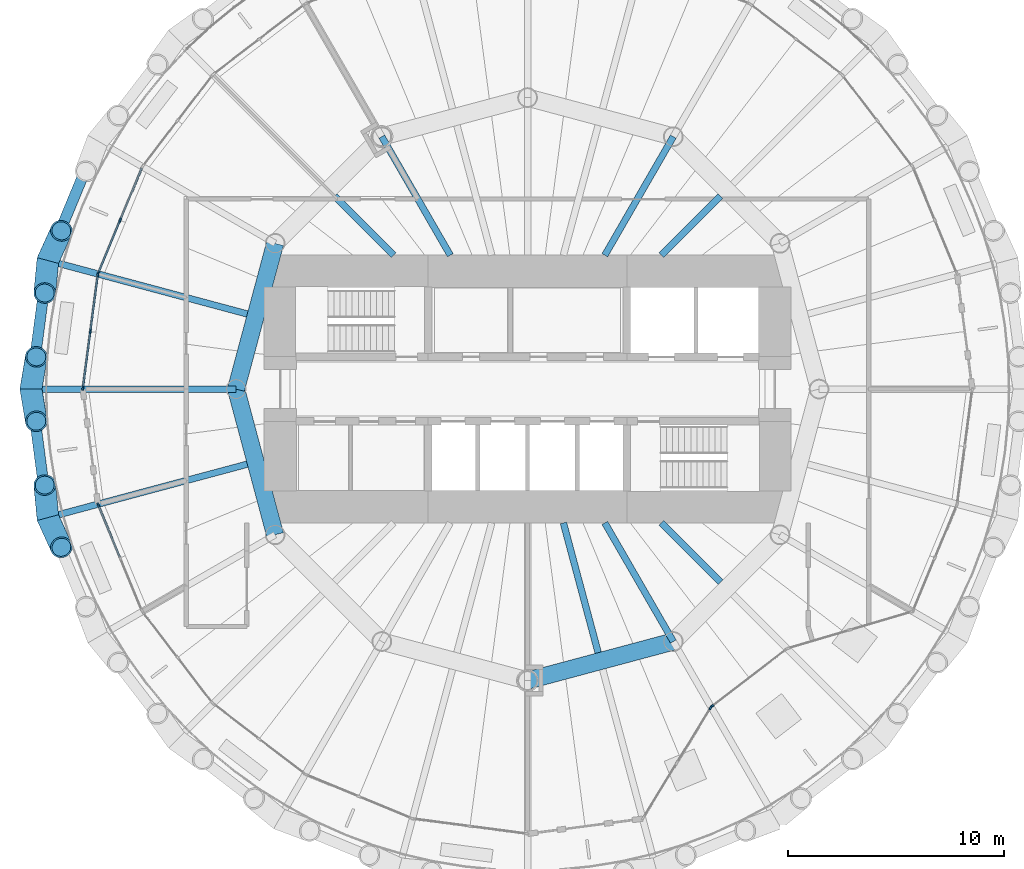
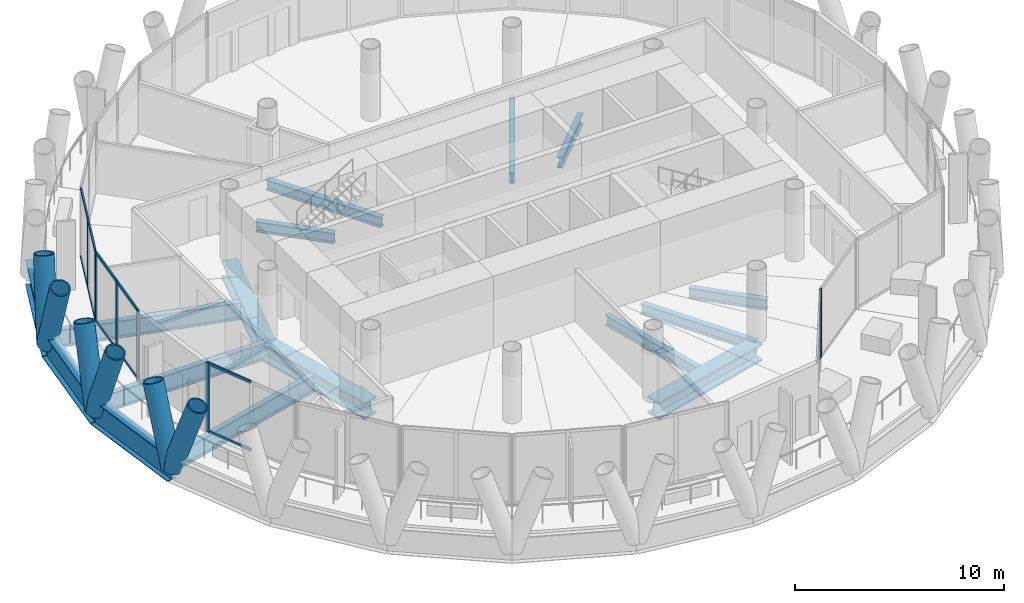
# One storey, part 3 of 14: 24 members, 16 beams, 5 elements without a shape of their own.
"""IFC4 building model written with IfcOpenShell, lengths in metres."""

from ifc_helpers import new_model, si_unit, direction, frame, origin, origin_2d, place, context, subcontext, project, spatial, rectangle, hollow_circle, i_section, extrude, material, material_profile, profile_set, type_object, element, aggregate, save


model = new_model("IFC4")

# Units and contexts
model_context = context("Model", 3, precision=1e-05, world=origin(), true_north=direction((0.0, 1.0)))
body_context = subcontext(model_context, "Body", "Model", "MODEL_VIEW")
ifc_project = project(units=[si_unit("LENGTHUNIT", "METRE"), si_unit("AREAUNIT", "SQUARE_METRE"), si_unit("VOLUMEUNIT", "CUBIC_METRE"), si_unit("PLANEANGLEUNIT", "RADIAN"), si_unit("MASSUNIT", "GRAM", prefix="KILO")], contexts=[model_context])

# Site, building, storey
site_placement = place(None, origin())
site = spatial("IfcSite", under=ifc_project, at=site_placement, CompositionType="ELEMENT")
building_placement = place(site_placement, origin())
building = spatial("IfcBuilding", under=site, at=building_placement, Name="Qaws Media Tower", CompositionType="ELEMENT")
storey_placement = place(building_placement, frame((0.0, 0.0, 210.800048828125)))
storey = spatial("IfcBuildingStorey", under=building, at=storey_placement, Name="L48", CompositionType="ELEMENT", Elevation=210.800048828125)

# Curtain wall, members
ifc_material_1 = material(Name="Aluminium and clear glass", Category="aluminium")
curtain_wall_type_1 = type_object("IfcCurtainWallType", Name="Unitised curtain wall CW-C", PredefinedType="NOTDEFINED", material=ifc_material_1)
curtain_wall_1_placement = place(storey_placement, origin())
curtain_wall_1 = element("IfcCurtainWall", 1, at=curtain_wall_1_placement, inside=storey, type_object=curtain_wall_type_1, Name="CWC curtain wall L48-11", PredefinedType="NOTDEFINED")
ifc_material_2 = material(Name="Aluminium mullion", Category="aluminium")
ifc_material_profile_1 = material_profile(ifc_material_2, rectangle(XDim=0.080078125, YDim=0.199951171875, at=origin_2d()), Name="80x200")
ifc_profile_set_1 = profile_set([ifc_material_profile_1], Name="Aluminium mullion")
member_type_1 = type_object("IfcMemberType", Name="Curtain wall mullion 80x200", PredefinedType="MULLION", material=ifc_profile_set_1)
member_1_placement = place(storey_placement, frame((41.130859375, 57.81591796875, 0.0), z_axis=(0.0, 0.0, 1.0), x_axis=(0.923879521985, -0.382683457778, 0.0)))
member_1 = element("IfcMember", 2, at=member_1_placement, type_object=member_type_1, Name="CWC mullion 2", PredefinedType="MULLION", context=body_context, shape_type="SweptSolid", body=[
    extrude(rectangle(XDim=0.080078125, YDim=0.199951171875, at=origin_2d()), origin(), (0.0, 0.0, 1.0), 4.0400390625),
])
member_2_placement = place(storey_placement, frame((40.1171875, 55.36865234375, 0.0), z_axis=(0.0, 0.0, 1.0), x_axis=(0.923879521985, -0.382683457778, 0.0)))
member_2 = element("IfcMember", 3, at=member_2_placement, type_object=member_type_1, Name="CWC mullion 3", PredefinedType="MULLION", context=body_context, shape_type="SweptSolid", body=[
    extrude(rectangle(XDim=0.080078125, YDim=0.199951171875, at=origin_2d()), origin(), (0.0, 0.0, 1.0), 4.0400390625),
])

curtain_wall_2_placement = place(storey_placement, origin())
curtain_wall_2 = element("IfcCurtainWall", 4, at=curtain_wall_2_placement, inside=storey, type_object=curtain_wall_type_1, Name="CWC curtain wall L48-12", PredefinedType="NOTDEFINED")
member_3_placement = place(storey_placement, frame((40.0966796875, 55.2919921875, 0.0), z_axis=(0.0, 0.0, 1.0), x_axis=(0.991444859813, -0.130526204073, 0.0)))
member_3 = element("IfcMember", 5, at=member_3_placement, type_object=member_type_1, Name="CWC mullion 1", PredefinedType="MULLION", context=body_context, shape_type="SweptSolid", body=[
    extrude(rectangle(XDim=0.080078125, YDim=0.199951171875, at=origin_2d()), origin(), (0.0, 0.0, 1.0), 4.0400390625),
])
member_4_placement = place(storey_placement, frame((39.7509765625, 52.665771484375, 0.0), z_axis=(0.0, 0.0, 1.0), x_axis=(0.991444859813, -0.130526204073, 0.0)))
member_4 = element("IfcMember", 6, at=member_4_placement, type_object=member_type_1, Name="CWC mullion 2", PredefinedType="MULLION", context=body_context, shape_type="SweptSolid", body=[
    extrude(rectangle(XDim=0.080078125, YDim=0.199951171875, at=origin_2d()), origin(), (0.0, 0.0, 1.0), 4.0400390625),
])
member_5_placement = place(storey_placement, frame((39.4052734375, 50.03955078125, 0.0), z_axis=(0.0, 0.0, 1.0), x_axis=(0.991444859813, -0.130526204073, 0.0)))
member_5 = element("IfcMember", 7, at=member_5_placement, type_object=member_type_1, Name="CWC mullion 3", PredefinedType="MULLION", context=body_context, shape_type="SweptSolid", body=[
    extrude(rectangle(XDim=0.080078125, YDim=0.199951171875, at=origin_2d()), origin(), (0.0, 0.0, 1.0), 4.0400390625),
])

# Curtain wall, member
curtain_wall_3_placement = place(storey_placement, origin())
curtain_wall_3 = element("IfcCurtainWall", 8, at=curtain_wall_3_placement, inside=storey, type_object=curtain_wall_type_1, Name="CWC curtain wall L48-14", PredefinedType="NOTDEFINED")
member_6_placement = place(storey_placement, frame((40.1171875, 44.63134765625, 0.0), z_axis=(0.0, 0.0, 1.0), x_axis=(0.923879521985, 0.382683457778, 0.0)))
member_6 = element("IfcMember", 9, at=member_6_placement, type_object=member_type_1, Name="CWC mullion 1", PredefinedType="MULLION", context=body_context, shape_type="SweptSolid", body=[
    extrude(rectangle(XDim=0.080078125, YDim=0.199951171875, at=origin_2d()), origin(), (0.0, 0.0, 1.0), 4.0400390625),
])

ifc_material_3 = material(Name="Aluminium and clear glass", Category="aluminium")
curtain_wall_type_2 = type_object("IfcCurtainWallType", Name="Loggia curtain wall CW-G", PredefinedType="NOTDEFINED", material=ifc_material_3)
curtain_wall_4_placement = place(storey_placement, origin())
curtain_wall_4 = element("IfcCurtainWall", 10, at=curtain_wall_4_placement, inside=storey, type_object=curtain_wall_type_2, Name="CWG curtain wall L48-20", PredefinedType="NOTDEFINED")
member_7_placement = place(storey_placement, frame((68.47900390625, 35.243408203125, 0.0), z_axis=(0.0, 0.0, 1.0), x_axis=(-0.85288294419, 0.52210217727, 0.0)))
member_7 = element("IfcMember", 11, at=member_7_placement, type_object=member_type_1, Name="CWG mullion 3", PredefinedType="MULLION", context=body_context, shape_type="SweptSolid", body=[
    extrude(rectangle(XDim=0.080078125, YDim=0.199951171875, at=origin_2d()), origin(), (0.0, 0.0, 1.0), 4.0400390625),
])
aggregate(curtain_wall_4, [member_7])

curtain_wall_5_placement = place(storey_placement, origin())
curtain_wall_5 = element("IfcCurtainWall", 12, at=curtain_wall_5_placement, inside=storey, type_object=curtain_wall_type_2, Name="CWG curtain wall L48-21", PredefinedType="NOTDEFINED")
member_8_placement = place(storey_placement, frame((68.53173828125, 35.302001953125, 0.0), z_axis=(0.0, 0.0, 1.0), x_axis=(-0.608761518472, 0.793353271644, 0.0)))
member_8 = element("IfcMember", 13, at=member_8_placement, type_object=member_type_1, Name="CWG mullion 1", PredefinedType="MULLION", context=body_context, shape_type="SweptSolid", body=[
    extrude(rectangle(XDim=0.080078125, YDim=0.199951171875, at=origin_2d()), origin(), (0.0, 0.0, 1.0), 4.0400390625),
])
aggregate(curtain_wall_5, [member_8])

# Member
ifc_material_4 = material(Name="Aluminium transom", Category="aluminium")
ifc_material_profile_2 = material_profile(ifc_material_4, rectangle(XDim=0.080078125, YDim=0.159912109375, at=origin_2d()), Name="80x160")
ifc_profile_set_2 = profile_set([ifc_material_profile_2], Name="Aluminium transom")
member_type_2 = type_object("IfcMemberType", Name="Curtain wall transom 80x160", PredefinedType="USERDEFINED", material=ifc_profile_set_2)
member_9_placement = place(storey_placement, frame((42.129150390625, 60.22607421875, 0.0400390625), z_axis=(-0.382637188535, -0.923898685977, 0.0), x_axis=(0.923898685977, -0.382637188535, 0.0)))
member_9 = element("IfcMember", 14, at=member_9_placement, type_object=member_type_2, Name="CWC transom 1.1", ObjectType="TRANSOM", PredefinedType="USERDEFINED", context=body_context, shape_type="SweptSolid", body=[
    extrude(rectangle(XDim=0.080078125, YDim=0.159912109375, at=origin_2d()), origin(), (0.0, 0.0, 1.0), 2.56884765625),
])

member_10_placement = place(storey_placement, frame((42.129150390625, 60.22607421875, 4.0), z_axis=(-0.382637188535, -0.923898685977, 0.0), x_axis=(0.923898685977, -0.382637188535, 0.0)))
member_10 = element("IfcMember", 15, at=member_10_placement, type_object=member_type_2, Name="CWC transom 1.2", ObjectType="TRANSOM", PredefinedType="USERDEFINED", context=body_context, shape_type="SweptSolid", body=[
    extrude(rectangle(XDim=0.080078125, YDim=0.159912109375, at=origin_2d()), origin(), (0.0, 0.0, 1.0), 2.56884765625),
])

member_11_placement = place(storey_placement, frame((41.115478515625, 57.77880859375, 0.0400390625), z_axis=(-0.382637188535, -0.923898685977, 0.0), x_axis=(0.923898685977, -0.382637188535, 0.0)))
member_11 = element("IfcMember", 16, at=member_11_placement, type_object=member_type_2, Name="CWC transom 2.1", ObjectType="TRANSOM", PredefinedType="USERDEFINED", context=body_context, shape_type="SweptSolid", body=[
    extrude(rectangle(XDim=0.080078125, YDim=0.159912109375, at=origin_2d()), origin(), (0.0, 0.0, 1.0), 2.56884765625),
])

member_12_placement = place(storey_placement, frame((41.115478515625, 57.77880859375, 4.0), z_axis=(-0.382637188535, -0.923898685977, 0.0), x_axis=(0.923898685977, -0.382637188535, 0.0)))
member_12 = element("IfcMember", 17, at=member_12_placement, type_object=member_type_2, Name="CWC transom 2.2", ObjectType="TRANSOM", PredefinedType="USERDEFINED", context=body_context, shape_type="SweptSolid", body=[
    extrude(rectangle(XDim=0.080078125, YDim=0.159912109375, at=origin_2d()), origin(), (0.0, 0.0, 1.0), 2.56884765625),
])

aggregate(curtain_wall_1, [member_1, member_2, member_9, member_10, member_11, member_12])

member_13_placement = place(storey_placement, frame((40.091552734375, 55.25244140625, 0.0400390625), z_axis=(-0.130582350348, -0.991437466398, 0.0), x_axis=(0.991437466398, -0.130582350348, 0.0)))
member_13 = element("IfcMember", 18, at=member_13_placement, type_object=member_type_2, Name="CWC transom 1.1", ObjectType="TRANSOM", PredefinedType="USERDEFINED", context=body_context, shape_type="SweptSolid", body=[
    extrude(rectangle(XDim=0.080078125, YDim=0.159912109375, at=origin_2d()), origin(), (0.0, 0.0, 1.0), 2.56884765625),
])

member_14_placement = place(storey_placement, frame((40.091552734375, 55.25244140625, 4.0), z_axis=(-0.130582350348, -0.991437466398, 0.0), x_axis=(0.991437466398, -0.130582350348, 0.0)))
member_14 = element("IfcMember", 19, at=member_14_placement, type_object=member_type_2, Name="CWC transom 1.2", ObjectType="TRANSOM", PredefinedType="USERDEFINED", context=body_context, shape_type="SweptSolid", body=[
    extrude(rectangle(XDim=0.080078125, YDim=0.159912109375, at=origin_2d()), origin(), (0.0, 0.0, 1.0), 2.56884765625),
])

member_15_placement = place(storey_placement, frame((39.745849609375, 52.626220703125, 0.0400390625), z_axis=(-0.130582350348, -0.991437466398, 0.0), x_axis=(0.991437466398, -0.130582350348, 0.0)))
member_15 = element("IfcMember", 20, at=member_15_placement, type_object=member_type_2, Name="CWC transom 2.1", ObjectType="TRANSOM", PredefinedType="USERDEFINED", context=body_context, shape_type="SweptSolid", body=[
    extrude(rectangle(XDim=0.080078125, YDim=0.159912109375, at=origin_2d()), origin(), (0.0, 0.0, 1.0), 2.56884765625),
])

member_16_placement = place(storey_placement, frame((39.745849609375, 52.626220703125, 4.0), z_axis=(-0.130582350348, -0.991437466398, 0.0), x_axis=(0.991437466398, -0.130582350348, 0.0)))
member_16 = element("IfcMember", 21, at=member_16_placement, type_object=member_type_2, Name="CWC transom 2.2", ObjectType="TRANSOM", PredefinedType="USERDEFINED", context=body_context, shape_type="SweptSolid", body=[
    extrude(rectangle(XDim=0.080078125, YDim=0.159912109375, at=origin_2d()), origin(), (0.0, 0.0, 1.0), 2.56884765625),
])

aggregate(curtain_wall_2, [member_3, member_4, member_5, member_13, member_14, member_15, member_16])

member_17_placement = place(storey_placement, frame((40.132568359375, 44.594482421875, 0.0400390625), z_axis=(0.382637188535, -0.923898685977, 0.0), x_axis=(0.923898685977, 0.382637188535, 0.0)))
member_17 = element("IfcMember", 22, at=member_17_placement, type_object=member_type_2, Name="CWC transom 1.1", ObjectType="TRANSOM", PredefinedType="USERDEFINED", context=body_context, shape_type="SweptSolid", body=[
    extrude(rectangle(XDim=0.080078125, YDim=0.159912109375, at=origin_2d()), origin(), (0.0, 0.0, 1.0), 2.56884765625),
])

member_18_placement = place(storey_placement, frame((40.132568359375, 44.594482421875, 4.0), z_axis=(0.382637188535, -0.923898685977, 0.0), x_axis=(0.923898685977, 0.382637188535, 0.0)))
member_18 = element("IfcMember", 23, at=member_18_placement, type_object=member_type_2, Name="CWC transom 1.2", ObjectType="TRANSOM", PredefinedType="USERDEFINED", context=body_context, shape_type="SweptSolid", body=[
    extrude(rectangle(XDim=0.080078125, YDim=0.159912109375, at=origin_2d()), origin(), (0.0, 0.0, 1.0), 2.56884765625),
])

aggregate(curtain_wall_3, [member_6, member_17, member_18])

# Members
ifc_material_5 = material(Name="Steel S460", Category="steel")
ifc_material_profile_3 = material_profile(ifc_material_5, hollow_circle(Radius=0.508056640625, WallThickness=0.070068359375, at=origin_2d()), Name="CHS 1016x70")
ifc_profile_set_3 = profile_set([ifc_material_profile_3], Name="Steel S460")
member_type_3 = type_object("IfcMemberType", Name="Diagrid member CHS 1016x70", PredefinedType="USERDEFINED", material=ifc_profile_set_3)
member_19_placement = place(storey_placement, frame((37.78369140625, 55.952880859375, -0.91015625), z_axis=(-0.032595681176, -0.337113722769, 0.940899494893), x_axis=(0.995358000855, -0.096241623704, 0.0)))
element("IfcMember", 24, at=member_19_placement, inside=storey, type_object=member_type_3, Name="DG3 diagrid L48 A12", ObjectType="DIAGRID", PredefinedType="USERDEFINED", context=body_context, shape_type="SweptSolid", body=[
    extrude(hollow_circle(Radius=0.508056640625, WallThickness=0.070068359375, at=origin_2d()), origin(), (0.0, 0.0, 1.0), 4.464111328125),
])
member_20_placement = place(storey_placement, frame((37.78369140625, 55.952880859375, -0.91015625), z_axis=(0.140283089517, 0.308239958096, 0.940908488127), x_axis=(-0.910172807852, 0.414228753041, 0.0)))
element("IfcMember", 25, at=member_20_placement, inside=storey, type_object=member_type_3, Name="DG3 diagrid L48 B12", ObjectType="DIAGRID", PredefinedType="USERDEFINED", context=body_context, shape_type="SweptSolid", body=[
    extrude(hollow_circle(Radius=0.508056640625, WallThickness=0.070068359375, at=origin_2d()), origin(), (0.0, 0.0, 1.0), 4.4638671875),
])
for number, where, z_axis, x_axis, name in (
    (26, (37.0, 50.0, -0.91015625), (0.055730204932, -0.334053083144, 0.940905245973), (0.986367724101, 0.164556108523, 0.0), "DG3 diagrid L48 A13"),
    (27, (37.0, 50.0, -0.91015625), (0.055730204932, 0.334053083144, 0.940905245973), (-0.986367724101, 0.164556108523, 0.0), "DG3 diagrid L48 B13"),
):
    element("IfcMember", number, at=place(storey_placement, frame(where, z_axis=z_axis, x_axis=x_axis)), inside=storey, type_object=member_type_3, Name=name, ObjectType="DIAGRID", PredefinedType="USERDEFINED", context=body_context, shape_type="SweptSolid", body=[
        extrude(hollow_circle(Radius=0.508056640625, WallThickness=0.070068359375, at=origin_2d()), origin(), (0.0, 0.0, 1.0), 4.464111328125),
    ])
member_21_placement = place(storey_placement, frame((37.78369140625, 44.047119140625, -0.91015625), z_axis=(0.140283089517, -0.308239958096, 0.940908488127), x_axis=(0.910172807852, 0.414228753041, 0.0)))
element("IfcMember", 28, at=member_21_placement, inside=storey, type_object=member_type_3, Name="DG3 diagrid L48 A14", ObjectType="DIAGRID", PredefinedType="USERDEFINED", context=body_context, shape_type="SweptSolid", body=[
    extrude(hollow_circle(Radius=0.508056640625, WallThickness=0.070068359375, at=origin_2d()), origin(), (0.0, 0.0, 1.0), 4.4638671875),
])
member_22_placement = place(storey_placement, frame((37.78369140625, 44.047119140625, -0.91015625), z_axis=(-0.032595681176, 0.337113722769, 0.940899494893), x_axis=(-0.995358000855, -0.096241623704, 0.0)))
element("IfcMember", 29, at=member_22_placement, inside=storey, type_object=member_type_3, Name="DG3 diagrid L48 B14", ObjectType="DIAGRID", PredefinedType="USERDEFINED", context=body_context, shape_type="SweptSolid", body=[
    extrude(hollow_circle(Radius=0.508056640625, WallThickness=0.070068359375, at=origin_2d()), origin(), (0.0, 0.0, 1.0), 4.464111328125),
])

# Beams
ifc_material_6 = material(Name="Steel S460", Category="steel")
ifc_material_profile_4 = material_profile(ifc_material_6, i_section(OverallWidth=0.5, OverallDepth=1.5, WebThickness=0.02001953125, FlangeThickness=0.0400390625, at=origin_2d()), Name="PG 1500x500")
ifc_profile_set_4 = profile_set([ifc_material_profile_4], Name="Steel S460")
beam_type_1 = type_object("IfcBeamType", Name="Edge ring beam PG 1500x500", PredefinedType="BEAM", material=ifc_profile_set_4)
for number, where, z_axis, x_axis, name in (
    (30, (40.081298828125, 61.5, -0.91015625), (-0.382671411433, -0.923884511653, 0.0), (0.923884511653, -0.382671411433, 0.0), "RB4 edge ring beam L48-11"),
    (31, (37.78369140625, 55.952880859375, -0.91015625), (-0.130522880875, -0.991445297315, 0.0), (0.991445297315, -0.130522880875, 0.0), "RB4 edge ring beam L48-12"),
    (32, (37.0, 50.0, -0.91015625), (0.130522880875, -0.991445297315, 0.0), (0.991445297315, 0.130522880875, 0.0), "RB4 edge ring beam L48-13"),
):
    element("IfcBeam", number, at=place(storey_placement, frame(where, z_axis=z_axis, x_axis=x_axis)), inside=storey, type_object=beam_type_1, Name=name, PredefinedType="BEAM", context=body_context, shape_type="SweptSolid", body=[
        extrude(i_section(OverallWidth=0.5, OverallDepth=1.5, WebThickness=0.02001953125, FlangeThickness=0.0400390625, at=origin_2d()), origin(), (0.0, 0.0, 1.0), 6.004150390625),
    ])
ifc_material_7 = material(Name="Steel S460", Category="steel")
ifc_material_profile_5 = material_profile(ifc_material_7, i_section(OverallWidth=0.800048828125, OverallDepth=1.0, WebThickness=0.0400390625, FlangeThickness=0.10009765625, at=origin_2d()), Name="PG 1000x800")
ifc_profile_set_5 = profile_set([ifc_material_profile_5], Name="Steel S460")
beam_type_2 = type_object("IfcBeamType", Name="Inner ring girder PG 1000x800", PredefinedType="BEAM", material=ifc_profile_set_5)
for number, where, z_axis, x_axis, name in (
    (33, (48.30859375, 56.75, -0.66015625), (-0.258810593767, -0.965928090778, 0.0), (0.965928090778, -0.258810593767, 0.0), "B3 inner ring beam L48 I06-I07"),
    (34, (46.5, 50.0, -0.66015625), (0.258810593767, -0.965928090778, 0.0), (0.965928090778, 0.258810593767, 0.0), "B3 inner ring beam L48 I07-I08"),
    (35, (60.0, 36.5, -0.66015625), (0.965928090778, 0.258810593767, 0.0), (-0.258810593767, 0.965928090778, 0.0), "B3 inner ring beam L48 I10-I11"),
):
    element("IfcBeam", number, at=place(storey_placement, frame(where, z_axis=z_axis, x_axis=x_axis)), inside=storey, type_object=beam_type_2, Name=name, PredefinedType="BEAM", context=body_context, shape_type="SweptSolid", body=[
        extrude(i_section(OverallWidth=0.800048828125, OverallDepth=1.0, WebThickness=0.0400390625, FlangeThickness=0.10009765625, at=origin_2d()), origin(), (0.0, 0.0, 1.0), 6.988037109375),
    ])
ifc_material_8 = material(Name="Steel S355", Category="steel")
ifc_material_profile_6 = material_profile(ifc_material_8, i_section(OverallWidth=0.302001953125, OverallDepth=1.008056640625, WebThickness=0.02099609375, FlangeThickness=0.0400390625, FilletRadius=0.030029296875, at=origin_2d()), Name="HE 1000 M")
ifc_profile_set_6 = profile_set([ifc_material_profile_6], Name="Steel S355")
beam_type_3 = type_object("IfcBeamType", Name="Radial beam HE 1000 M", PredefinedType="BEAM", material=ifc_profile_set_6)
beam_1_placement = place(storey_placement, frame((47.01806640625, 53.478515625, -0.6640625), z_axis=(-0.965925253321, 0.258821183439, 0.0), x_axis=(-0.258821183439, -0.965925253321, 0.0)))
element("IfcBeam", 36, at=beam_1_placement, inside=storey, type_object=beam_type_3, Name="B1 radial beam L48 12", PredefinedType="BEAM", context=body_context, shape_type="SweptSolid", body=[
    extrude(i_section(OverallWidth=0.302001953125, OverallDepth=1.008056640625, WebThickness=0.02099609375, FlangeThickness=0.0400390625, FilletRadius=0.030029296875, at=origin_2d()), origin(), (0.0, 0.0, 1.0), 9.56005859375),
])
beam_2_placement = place(storey_placement, frame((46.5, 50.0, -0.6640625), z_axis=(-1.0, 0.0, 0.0), x_axis=(0.0, -1.0, 0.0)))
element("IfcBeam", 37, at=beam_2_placement, inside=storey, type_object=beam_type_3, Name="B1 radial beam L48 13", PredefinedType="BEAM", context=body_context, shape_type="SweptSolid", body=[
    extrude(i_section(OverallWidth=0.302001953125, OverallDepth=1.008056640625, WebThickness=0.02099609375, FlangeThickness=0.0400390625, FilletRadius=0.030029296875, at=origin_2d()), origin(), (0.0, 0.0, 1.0), 9.5),
])
beam_3_placement = place(storey_placement, frame((47.01806640625, 46.521484375, -0.6640625), z_axis=(-0.965925253321, -0.258821183439, 0.0), x_axis=(0.258821183439, -0.965925253321, 0.0)))
element("IfcBeam", 38, at=beam_3_placement, inside=storey, type_object=beam_type_3, Name="B1 radial beam L48 14", PredefinedType="BEAM", context=body_context, shape_type="SweptSolid", body=[
    extrude(i_section(OverallWidth=0.302001953125, OverallDepth=1.008056640625, WebThickness=0.02099609375, FlangeThickness=0.0400390625, FilletRadius=0.030029296875, at=origin_2d()), origin(), (0.0, 0.0, 1.0), 9.56005859375),
])
ifc_material_9 = material(Name="Steel S355", Category="steel")
ifc_material_profile_7 = material_profile(ifc_material_9, i_section(OverallWidth=0.304931640625, OverallDepth=0.6201171875, WebThickness=0.02099609375, FlangeThickness=0.0400390625, FilletRadius=0.027099609375, at=origin_2d()), Name="HE 600 M")
ifc_profile_set_7 = profile_set([ifc_material_profile_7], Name="Steel S355")
beam_type_4 = type_object("IfcBeamType", Name="Radial beam HE 600 M, core side", PredefinedType="BEAM", material=ifc_profile_set_7)
beam_4_placement = place(storey_placement, frame((66.199951171875, 56.199951171875, -0.469970703125), z_axis=(0.707106781187, 0.707106781187, 0.0), x_axis=(-0.707106781187, 0.707106781187, 0.0)))
element("IfcBeam", 39, at=beam_4_placement, inside=storey, type_object=beam_type_4, Name="B2 radial beam L48 04", PredefinedType="BEAM", context=body_context, shape_type="SweptSolid", body=[
    extrude(i_section(OverallWidth=0.304931640625, OverallDepth=0.6201171875, WebThickness=0.02099609375, FlangeThickness=0.0400390625, FilletRadius=0.027099609375, at=origin_2d()), origin(), (0.0, 0.0, 1.0), 3.871826171875),
])
for number, where, z_axis, x_axis, name in (
    (40, (63.57958984375, 56.199951171875, -0.469970703125), (0.499990193304, 0.866031065609, 0.0), (-0.866031065609, 0.499990193304, 0.0), "B2 radial beam L48 05"),
    (41, (56.42041015625, 56.199951171875, -0.469970703125), (-0.499990193304, 0.866031065609, 0.0), (-0.866031065609, -0.499990193304, 0.0), "B2 radial beam L48 09"),
):
    element("IfcBeam", number, at=place(storey_placement, frame(where, z_axis=z_axis, x_axis=x_axis)), inside=storey, type_object=beam_type_4, Name=name, PredefinedType="BEAM", context=body_context, shape_type="SweptSolid", body=[
        extrude(i_section(OverallWidth=0.304931640625, OverallDepth=0.6201171875, WebThickness=0.02099609375, FlangeThickness=0.0400390625, FilletRadius=0.027099609375, at=origin_2d()), origin(), (0.0, 0.0, 1.0), 6.341064453125),
    ])
beam_5_placement = place(storey_placement, frame((53.800048828125, 56.199951171875, -0.469970703125), z_axis=(-0.707106781187, 0.707106781187, 0.0), x_axis=(-0.707106781187, -0.707106781187, 0.0)))
element("IfcBeam", 42, at=beam_5_placement, inside=storey, type_object=beam_type_4, Name="B2 radial beam L48 10", PredefinedType="BEAM", context=body_context, shape_type="SweptSolid", body=[
    extrude(i_section(OverallWidth=0.304931640625, OverallDepth=0.6201171875, WebThickness=0.02099609375, FlangeThickness=0.0400390625, FilletRadius=0.027099609375, at=origin_2d()), origin(), (0.0, 0.0, 1.0), 3.871826171875),
])
beam_6_placement = place(storey_placement, frame((61.661376953125, 43.800048828125, -0.469970703125), z_axis=(0.258808008719, -0.965928783412, 0.0), x_axis=(0.965928783412, 0.258808008719, 0.0)))
element("IfcBeam", 43, at=beam_6_placement, inside=storey, type_object=beam_type_4, Name="B2 radial beam L48 20", PredefinedType="BEAM", context=body_context, shape_type="SweptSolid", body=[
    extrude(i_section(OverallWidth=0.304931640625, OverallDepth=0.6201171875, WebThickness=0.02099609375, FlangeThickness=0.0400390625, FilletRadius=0.027099609375, at=origin_2d()), origin(), (0.0, 0.0, 1.0), 6.22119140625),
])
beam_7_placement = place(storey_placement, frame((63.57958984375, 43.800048828125, -0.469970703125), z_axis=(0.499990193304, -0.866031065609, 0.0), x_axis=(0.866031065609, 0.499990193304, 0.0)))
element("IfcBeam", 44, at=beam_7_placement, inside=storey, type_object=beam_type_4, Name="B2 radial beam L48 21", PredefinedType="BEAM", context=body_context, shape_type="SweptSolid", body=[
    extrude(i_section(OverallWidth=0.304931640625, OverallDepth=0.6201171875, WebThickness=0.02099609375, FlangeThickness=0.0400390625, FilletRadius=0.027099609375, at=origin_2d()), origin(), (0.0, 0.0, 1.0), 6.341064453125),
])
beam_8_placement = place(storey_placement, frame((66.199951171875, 43.800048828125, -0.469970703125), z_axis=(0.707106781187, -0.707106781187, 0.0), x_axis=(0.707106781187, 0.707106781187, 0.0)))
element("IfcBeam", 45, at=beam_8_placement, inside=storey, type_object=beam_type_4, Name="B2 radial beam L48 22", PredefinedType="BEAM", context=body_context, shape_type="SweptSolid", body=[
    extrude(i_section(OverallWidth=0.304931640625, OverallDepth=0.6201171875, WebThickness=0.02099609375, FlangeThickness=0.0400390625, FilletRadius=0.027099609375, at=origin_2d()), origin(), (0.0, 0.0, 1.0), 3.871826171875),
])

save(model, "model.ifc")
